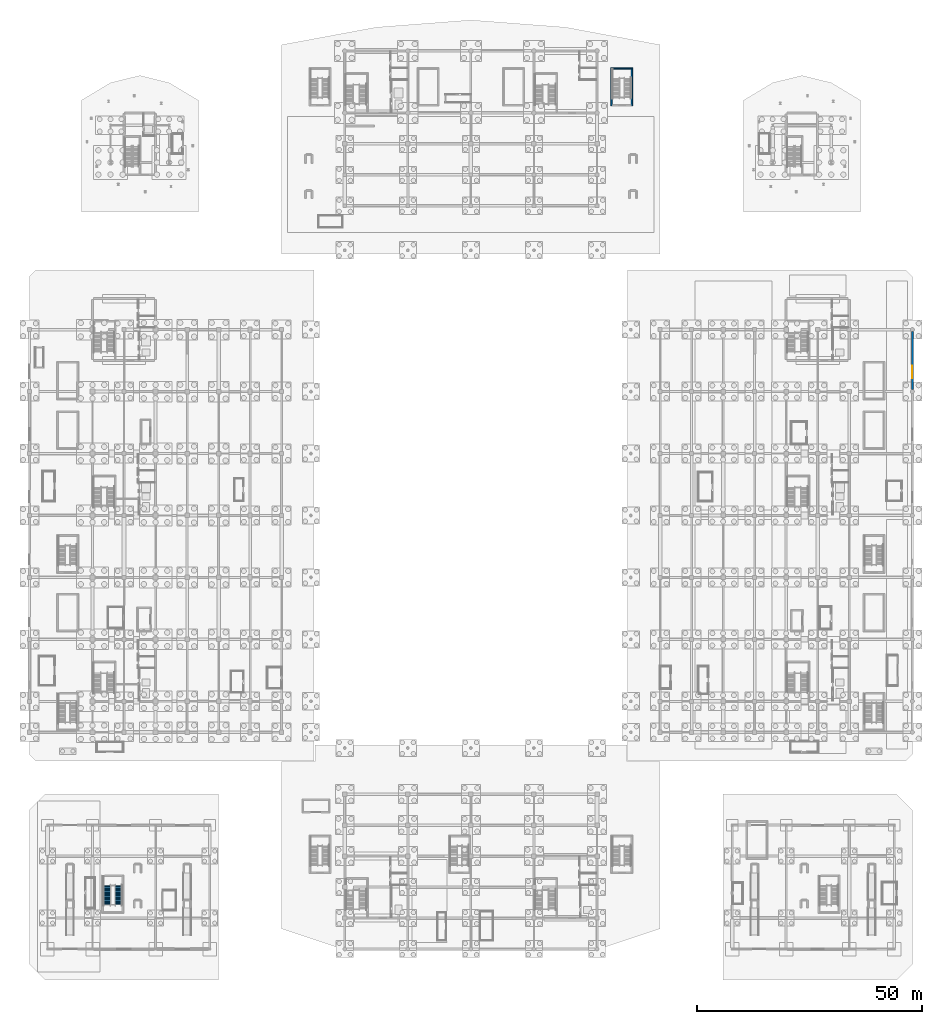
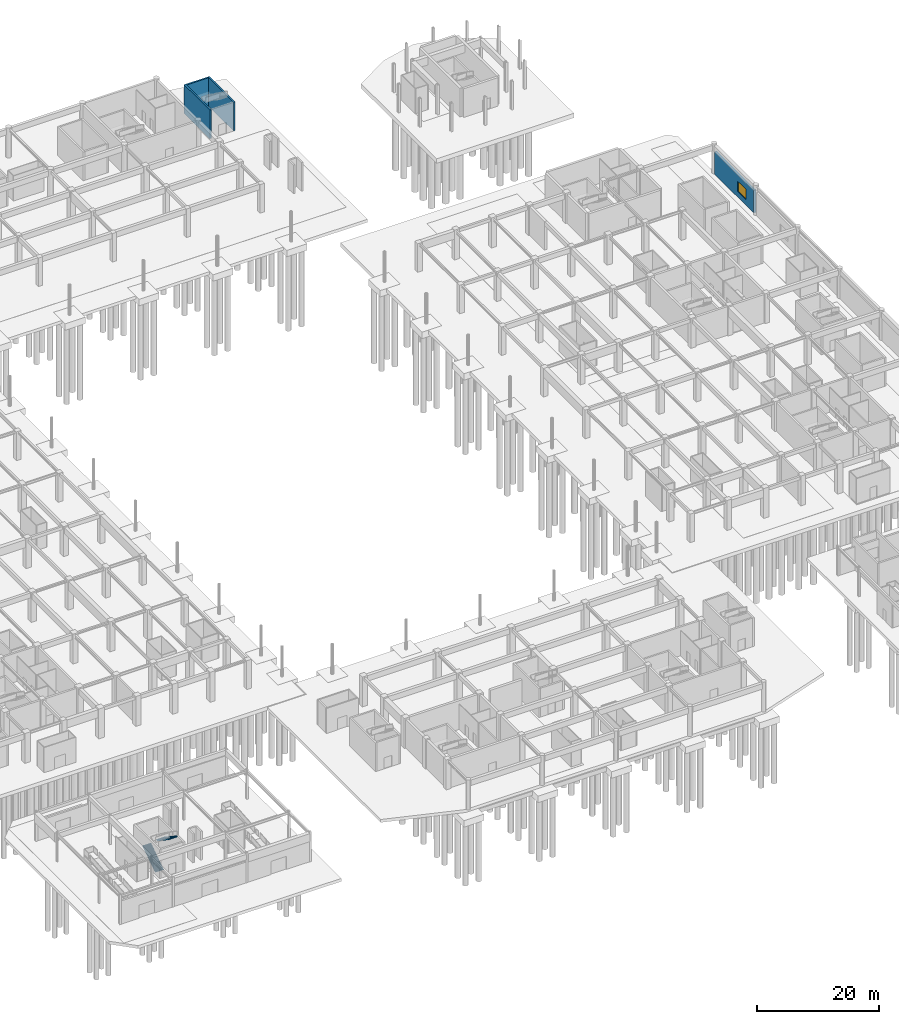
# One storey, part 51 of 62: 4 walls, 2 stair flights, 1 window, 1 opening, 1 element without a shape of its own.
"""IFC4 building model written with IfcOpenShell, lengths in metres."""

from ifc_helpers import new_model, si_unit, direction, frame, frame_2d, origin, place, context, subcontext, project, spatial, polyline, rectangle, outline, extrude, material, layer, layer_set, type_object, element, fill, aggregate, save


model = new_model("IFC4")

# Units and contexts
model_context = context("Model", 3, precision=1e-05, world=origin(), true_north=direction((0.0, 1.0)))
body_context = subcontext(model_context, "Body", "Model", "MODEL_VIEW")
ifc_project = project(units=[si_unit("LENGTHUNIT", "METRE"), si_unit("AREAUNIT", "SQUARE_METRE"), si_unit("VOLUMEUNIT", "CUBIC_METRE"), si_unit("PLANEANGLEUNIT", "RADIAN"), si_unit("MASSUNIT", "GRAM", prefix="KILO")], contexts=[model_context])

# Site, building, storey
site_placement = place(None, origin())
site = spatial("IfcSite", under=ifc_project, at=site_placement, CompositionType="ELEMENT")
building_placement = place(site_placement, origin())
building = spatial("IfcBuilding", under=site, at=building_placement, Name="Linyun Crest Stadium", CompositionType="ELEMENT")
storey_placement = place(building_placement, frame((0.0, 0.0, -6.0)))
storey = spatial("IfcBuildingStorey", under=building, at=storey_placement, Name="B1", CompositionType="ELEMENT", Elevation=-6.0)

# Wall, opening, window
ifc_material_1 = material(Name="Concrete C40 basement retaining envelope wall", Category="concrete")
ifc_layer_1 = layer(ifc_material_1, 0.419921875)
ifc_layer_set_1 = layer_set([ifc_layer_1], Name="Concrete C40 basement retaining envelope wall")
wall_type_1 = type_object("IfcWallType", Name="EW08", PredefinedType="SOLIDWALL", material=ifc_layer_set_1)
wall_1_placement = place(storey_placement, frame((98.0, 30.06494140625, 0.0), z_axis=(0.0, 0.0, 1.0), x_axis=(0.0, 1.0, 0.0)))
wall_1 = element("IfcWall", 1, at=wall_1_placement, inside=storey, type_object=wall_type_1, Name="Exterior wall EW08 B1 23", PredefinedType="SOLIDWALL", context=body_context, shape_type="SweptSolid", body=[
    extrude(rectangle(XDim=12.8701171875, YDim=0.419921875, at=frame_2d((6.43505859375, 0.0))), origin(), (0.0, 0.0, 1.0), 4.4951171875),
])
opening_placement = place(wall_1_placement, frame((2.5, 0.0, 1.10009765625)))
opening = element("IfcOpeningElement", 2, at=opening_placement, cuts=wall_1, Name="Opening WN18", PredefinedType="OPENING", context=body_context, shape_type="SweptSolid", body=[
    extrude(rectangle(XDim=2.85009765625, YDim=2.10009765625, at=frame_2d((1.425048828125, 1.050048828125))), frame((0.0, 0.219970703125, 0.0), z_axis=(0.0, -1.0, 0.0), x_axis=(1.0, 0.0, 0.0)), (0.0, 0.0, 1.0), 0.43994140625),
])
ifc_material_2 = material(Name="Salon panoramic arched window")
ifc_layer_2 = layer(ifc_material_2, 0.06494140625)
ifc_layer_set_2 = layer_set([ifc_layer_2], Name="Salon panoramic arched window")
window_type = type_object("IfcWindowType", Name="WN18", PartitioningType="SINGLE_PANEL", PredefinedType="WINDOW", material=ifc_layer_set_2)
window_placement = place(opening_placement, origin())
window = element("IfcWindow", 3, at=window_placement, inside=storey, type_object=window_type, Name="Window WN18 B1 26", OverallHeight=2.10009765625, OverallWidth=2.85009765625, PartitioningType="SINGLE_PANEL", PredefinedType="WINDOW", context=body_context, shape_type="SweptSolid", body=[
    extrude(rectangle(XDim=2.85009765625, YDim=2.10009765625, at=frame_2d((1.425048828125, 1.050048828125))), frame((0.0, 0.030029296875, 0.0), z_axis=(0.0, -1.0, 0.0), x_axis=(1.0, 0.0, 0.0)), (0.0, 0.0, 1.0), 0.06005859375),
])
fill(opening, window)

# Walls
ifc_material_3 = material(Name="Concrete C50", Category="concrete")
ifc_layer_3 = layer(ifc_material_3, 0.300048828125)
ifc_layer_set_3 = layer_set([ifc_layer_3], Name="Concrete C50")
wall_type_2 = type_object("IfcWallType", Name="SW01", PredefinedType="SHEAR", material=ifc_layer_set_3)
wall_2_placement = place(storey_placement, frame((31.39990234375, 101.35009765625, 0.0), z_axis=(0.0, 0.0, 1.0), x_axis=(1.0, 0.0, 0.0)))
element("IfcWall", 4, at=wall_2_placement, inside=storey, type_object=wall_type_2, Name="Stair shaft wall SW01 STR-26 B1 N", PredefinedType="SHEAR", context=body_context, shape_type="SweptSolid", body=[
    extrude(rectangle(XDim=4.2001953125, YDim=0.300048828125, at=frame_2d((2.10009765625, 0.0))), origin(), (0.0, 0.0, 1.0), 5.75),
])
for number, where, z_axis, x_axis, name in (
    (5, (31.25, 93.050048828125, 0.0), (0.0, 0.0, 1.0), (0.0, 1.0, 0.0), "Stair shaft wall SW01 STR-26 B1 W"),
    (6, (35.75, 93.050048828125, 0.0), (0.0, 0.0, 1.0), (0.0, 1.0, 0.0), "Stair shaft wall SW01 STR-26 B1 E"),
):
    element("IfcWall", number, at=place(storey_placement, frame(where, z_axis=z_axis, x_axis=x_axis)), inside=storey, type_object=wall_type_2, Name=name, PredefinedType="SHEAR", context=body_context, shape_type="SweptSolid", body=[
        extrude(rectangle(XDim=8.449951171875, YDim=0.300048828125, at=frame_2d((4.22509765625, 0.0))), origin(), (0.0, 0.0, 1.0), 5.75),
    ])

# Stair, stair flights
ifc_material_4 = material(Name="Concrete C40", Category="concrete")
stair_type = type_object("IfcStairType", Name="STA01", PredefinedType="HALF_TURN_STAIR", material=ifc_material_4)
stair_placement = place(storey_placement, origin())
stair = element("IfcStair", 7, at=stair_placement, inside=storey, type_object=stair_type, Name="Vomitory evacuation stair STR-30-B1", PredefinedType="HALF_TURN_STAIR")
ifc_material_5 = material(Name="Concrete C40", Category="concrete")
stair_flight_type = type_object("IfcStairFlightType", Name="STF02", PredefinedType="STRAIGHT", material=ifc_material_5)
stair_flight_1_placement = place(storey_placement, frame((-80.784912109375, -84.280029296875, 0.0), z_axis=(0.0, 0.0, 1.0), x_axis=(0.0, 1.0, 0.0)))
stair_flight_1 = element("IfcStairFlight", 8, at=stair_flight_1_placement, type_object=stair_flight_type, Name="STR-30-B1 flight 1", NumberOfRisers=18, NumberOfTreads=17, PredefinedType="STRAIGHT", RiserHeight=0.166666667, TreadLength=0.25, context=body_context, shape_type="SweptSolid", body=[
    extrude(outline(polyline([(0.0, 0.0), (0.0, 0.166748046875), (0.25, 0.166748046875), (0.25, 0.333251953125), (0.5, 0.333251953125), (0.5, 0.5), (0.75, 0.5), (0.75, 0.666748046875), (1.0, 0.666748046875), (1.0, 0.833251953125), (1.25, 0.833251953125), (1.25, 1.0), (1.5, 1.0), (1.5, 1.166748046875), (1.75, 1.166748046875), (1.75, 1.333251953125), (2.0, 1.333251953125), (2.0, 1.5), (2.25, 1.5), (2.25, 1.666748046875), (2.5, 1.666748046875), (2.5, 1.833251953125), (2.75, 1.833251953125), (2.75, 2.0), (3.0, 2.0), (3.0, 2.166748046875), (3.25, 2.166748046875), (3.25, 2.333251953125), (3.5, 2.333251953125), (3.5, 2.5), (3.75, 2.5), (3.75, 2.666748046875), (4.0, 2.666748046875), (4.0, 2.833251953125), (4.25, 2.833251953125), (4.25, 3.0), (4.25, 2.6171875), (0.324462890625, 0.0), (0.0, 0.0)])), frame((0.0, 0.77490234375, 0.0), z_axis=(0.0, -1.0, 0.0), x_axis=(1.0, 0.0, 0.0)), (0.0, 0.0, 1.0), 1.550048828125),
])
stair_flight_2_placement = place(storey_placement, frame((-78.215087890625, -80.030029296875, 3.0), z_axis=(0.0, 0.0, 1.0), x_axis=(0.0, -1.0, 0.0)))
stair_flight_2 = element("IfcStairFlight", 9, at=stair_flight_2_placement, type_object=stair_flight_type, Name="STR-30-B1 flight 2", NumberOfRisers=18, NumberOfTreads=17, PredefinedType="STRAIGHT", RiserHeight=0.166666667, TreadLength=0.25, context=body_context, shape_type="SweptSolid", body=[
    extrude(outline(polyline([(0.0, 0.0), (0.0, 0.166748046875), (0.25, 0.166748046875), (0.25, 0.333251953125), (0.5, 0.333251953125), (0.5, 0.5), (0.75, 0.5), (0.75, 0.666748046875), (1.0, 0.666748046875), (1.0, 0.833251953125), (1.25, 0.833251953125), (1.25, 1.0), (1.5, 1.0), (1.5, 1.166748046875), (1.75, 1.166748046875), (1.75, 1.333251953125), (2.0, 1.333251953125), (2.0, 1.5), (2.25, 1.5), (2.25, 1.666748046875), (2.5, 1.666748046875), (2.5, 1.833251953125), (2.75, 1.833251953125), (2.75, 2.0), (3.0, 2.0), (3.0, 2.166748046875), (3.25, 2.166748046875), (3.25, 2.333251953125), (3.5, 2.333251953125), (3.5, 2.5), (3.75, 2.5), (3.75, 2.666748046875), (4.0, 2.666748046875), (4.0, 2.833251953125), (4.25, 2.833251953125), (4.25, 3.0), (4.25, 2.6171875), (0.324462890625, 0.0), (0.0, 0.0)])), frame((0.0, 0.77490234375, 0.0), z_axis=(0.0, -1.0, 0.0), x_axis=(1.0, 0.0, 0.0)), (0.0, 0.0, 1.0), 1.550048828125),
])
aggregate(stair, [stair_flight_1, stair_flight_2])

save(model, "model.ifc")
